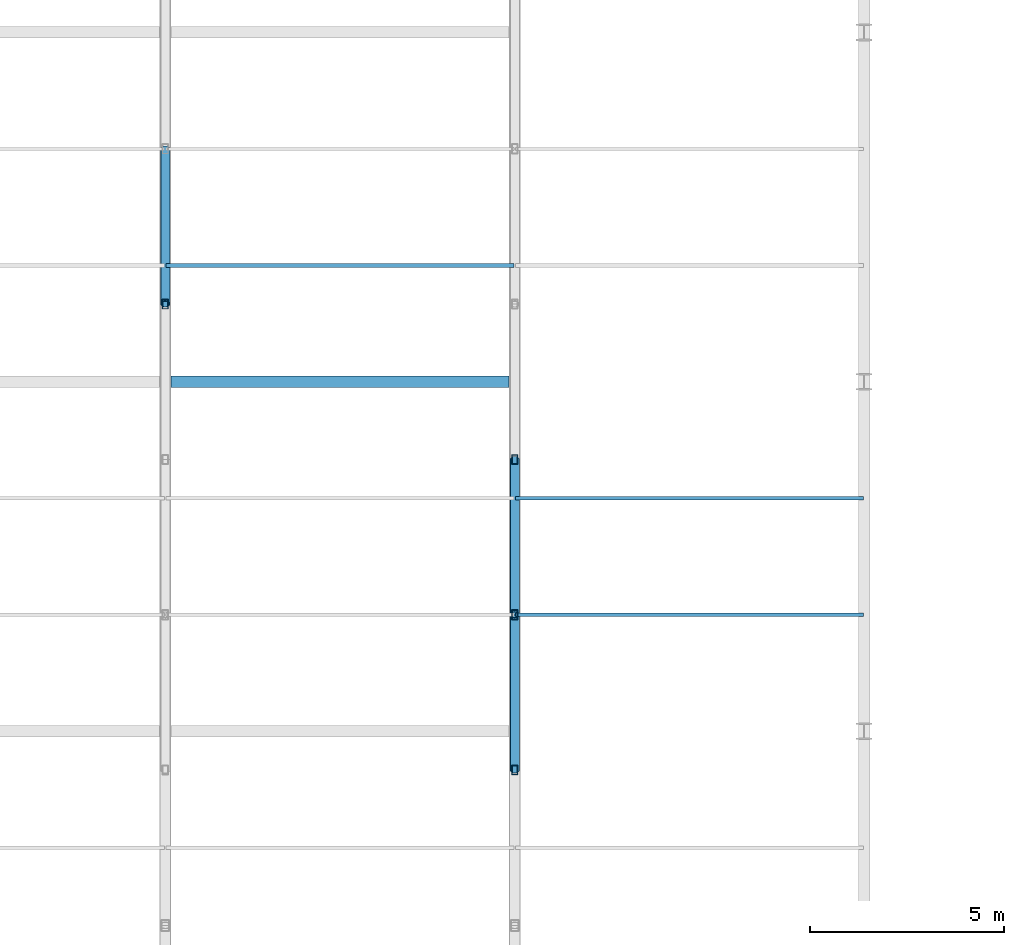
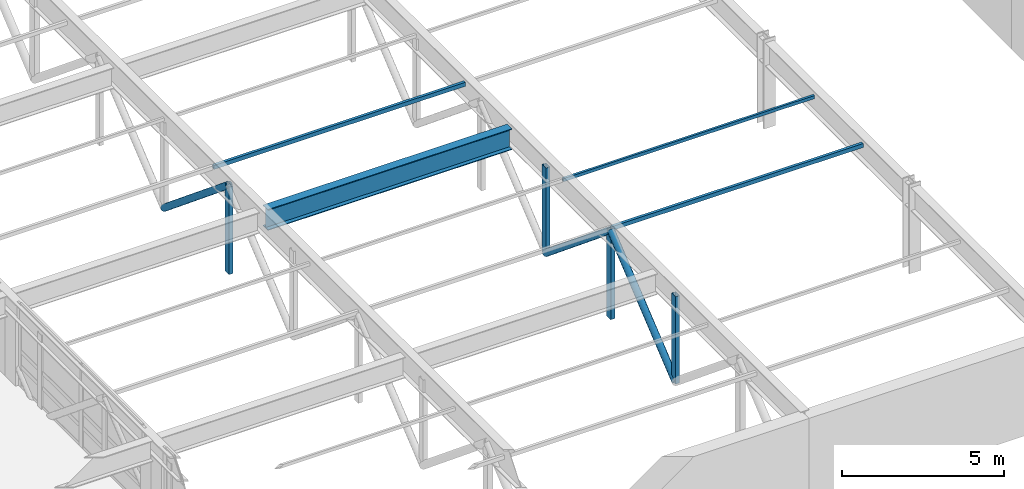
# One storey, part 57 of 91: 10 members, 1 beam.
"""IFC4 building model written with IfcOpenShell, lengths in metres."""

import ifcopenshell
import ifcopenshell.guid

model = None  # the IFC model being written
_history = None  # IfcOwnerHistory: only IFC2X3 demands one
_inside = {}  # id of a spatial element -> (the spatial element, [elements in it])
_under = {}  # id of a project, library or spatial element -> (it, [spatial elements below it])
_declared = {}  # id of a project -> (the project, [libraries it declares])
_typed = {}  # id of a type object -> (the type object, [elements of that type])
_made_of = {}  # id of a material, layer set ... -> (it, [elements and type objects made of it])


def new_model(schema):
    """Start an empty IFC model of exactly this schema.

    Asked for "IFC4X3", IfcOpenShell would pick the latest addendum, in which some entities
    have other attributes; the version numbers below select the first issue.
    IFC2X3 requires an IfcOwnerHistory on every rooted entity: one is made here for all.
    """
    global model, _history
    if schema == "IFC4X3":
        model = ifcopenshell.file(schema_version=(4, 3, 0, 0))
    else:
        model = ifcopenshell.file(schema=schema)
    _inside.clear()
    _under.clear()
    _declared.clear()
    _typed.clear()
    _made_of.clear()
    _history = None
    if model.schema == "IFC2X3":
        org = make("IfcOrganization", Name="unknown")
        user = make(
            "IfcPersonAndOrganization",
            ThePerson=make("IfcPerson", FamilyName="unknown"),
            TheOrganization=org,
        )
        app = make(
            "IfcApplication",
            ApplicationDeveloper=org,
            Version="unknown",
            ApplicationFullName="unknown",
            ApplicationIdentifier="unknown",
        )
        _history = make(
            "IfcOwnerHistory",
            OwningUser=user,
            OwningApplication=app,
            ChangeAction="ADDED",
            CreationDate=0,
        )
    return model


def make(cls, **values):
    """One entity of the class cls with the attributes given. An attribute that is None is left unset."""
    return model.create_entity(
        cls, **{name: value for name, value in values.items() if value is not None}
    )


def rooted(cls, **values):
    """An entity with a GlobalId (a new one), such as an element, a storey or a relation."""
    return make(cls, GlobalId=ifcopenshell.guid.new(), OwnerHistory=_history, **values)


def si_unit(unit_type, name, prefix=None):
    """IfcSIUnit, for example si_unit("LENGTHUNIT", "METRE", prefix="MILLI")."""
    return make("IfcSIUnit", UnitType=unit_type, Prefix=prefix, Name=name)


def assignment(units):
    """IfcUnitAssignment: the units of a project."""
    return None if units is None else make("IfcUnitAssignment", Units=units)


def point(xyz):
    """IfcCartesianPoint."""
    return None if xyz is None else make("IfcCartesianPoint", Coordinates=xyz)


def direction(xyz):
    """IfcDirection."""
    return None if xyz is None else make("IfcDirection", DirectionRatios=xyz)


def frame(location, z_axis=None, x_axis=None):
    """IfcAxis2Placement3D, a coordinate frame: its origin and axes. An axis left out is left unset."""
    return make(
        "IfcAxis2Placement3D",
        Location=point(location),
        Axis=direction(z_axis),
        RefDirection=direction(x_axis),
    )


def frame_2d(location, x_axis=None):
    """IfcAxis2Placement2D, a coordinate frame in the plane: its origin and x axis."""
    return make(
        "IfcAxis2Placement2D", Location=point(location), RefDirection=direction(x_axis)
    )


def origin():
    """The frame at (0, 0, 0) with its axes left unset."""
    return frame((0.0, 0.0, 0.0))


def origin_2d():
    """The frame at (0, 0) in the plane with its x axis left unset."""
    return frame_2d((0.0, 0.0))


def place(relative_to, where):
    """IfcLocalPlacement: puts the frame where relative to a parent placement (None: the world)."""
    return make(
        "IfcLocalPlacement", PlacementRelTo=relative_to, RelativePlacement=where
    )


def context(
    kind, dimensions, precision=None, world=None, true_north=None, identifier=None
):
    """IfcGeometricRepresentationContext, for example the 3D "Model" context."""
    return make(
        "IfcGeometricRepresentationContext",
        ContextIdentifier=identifier,
        ContextType=kind,
        CoordinateSpaceDimension=dimensions,
        Precision=precision,
        WorldCoordinateSystem=world,
        TrueNorth=true_north,
    )


def subcontext(parent, identifier, kind, view, scale=None):
    """IfcGeometricRepresentationSubContext, for example "Body" below "Model"."""
    return make(
        "IfcGeometricRepresentationSubContext",
        ContextIdentifier=identifier,
        ContextType=kind,
        ParentContext=parent,
        TargetScale=scale,
        TargetView=view,
    )


def project(units=None, contexts=None):
    """IfcProject with its units and contexts."""
    return rooted(
        "IfcProject",
        Name="project",
        RepresentationContexts=contexts,
        UnitsInContext=assignment(units),
    )


def spatial(cls, under=None, at=None, **own):
    """A site, building, storey or space (cls), placed at a placement, below another one or the project."""
    s = rooted(cls, ObjectPlacement=at, **own)
    if under is not None:
        _under.setdefault(under.id(), (under, []))[1].append(s)
    return s


def profile(cls, at=None, kind="AREA", **sizes):
    """A parametric profile (cls). Its sizes go by their IFC names, for example OverallWidth=200.0."""
    return make(cls, ProfileType=kind, Position=at, **sizes)


def hollow_rectangle(**sizes):
    """IfcRectangleHollowProfileDef."""
    return profile("IfcRectangleHollowProfileDef", **sizes)


def hollow_circle(**sizes):
    """IfcCircleHollowProfileDef."""
    return profile("IfcCircleHollowProfileDef", **sizes)


def i_section(**sizes):
    """IfcIShapeProfileDef."""
    return profile("IfcIShapeProfileDef", **sizes)


def extrude(swept, where, along, depth):
    """IfcExtrudedAreaSolid: the profile swept, set in the frame where, extruded along a direction by depth."""
    return make(
        "IfcExtrudedAreaSolid",
        SweptArea=swept,
        Position=where,
        ExtrudedDirection=direction(along),
        Depth=depth,
    )


def shape(context_of_items, identifier, shape_type, items):
    """IfcShapeRepresentation: the items that make up one representation, for example the "Body"."""
    return make(
        "IfcShapeRepresentation",
        ContextOfItems=context_of_items,
        RepresentationIdentifier=identifier,
        RepresentationType=shape_type,
        Items=items,
    )


def material(Name=None, Category=None):
    """IfcMaterial."""
    return make("IfcMaterial", Name=Name, Category=Category)


def material_profile(
    of_material, cross_section, Name=None, Category=None, Priority=None
):
    """IfcMaterialProfile: a cross section and its material."""
    return make(
        "IfcMaterialProfile",
        Name=Name,
        Material=of_material,
        Profile=cross_section,
        Priority=Priority,
        Category=Category,
    )


def profile_set(profiles, Name=None, composite=None):
    """IfcMaterialProfileSet."""
    return make(
        "IfcMaterialProfileSet",
        Name=Name,
        MaterialProfiles=profiles,
        CompositeProfile=composite,
    )


def made_of(thing, what):
    """Note that an element or type object is made of a material, layer set ...; save() writes the relation."""
    if what is not None:
        _made_of.setdefault(what.id(), (what, []))[1].append(thing)
    return thing


def type_object(cls, material=None, **own):
    """A type object (cls), such as IfcWallType, which elements share."""
    return made_of(rooted(cls, **own), material)


def element(
    cls,
    number,
    at=None,
    inside=None,
    cuts=None,
    type_object=None,
    material=None,
    context=None,
    identifier="Body",
    shape_type=None,
    held_by="IfcProductDefinitionShape",
    body=None,
    shapes=None,
    **own,
):
    """One element of the class cls, such as IfcWall. Its Tag is "e" and its number.

    at: its placement. inside: the storey or other place that contains it. cuts: it is an
    opening in that element (IfcRelVoidsElement). A single representation is given by context,
    identifier, shape_type and body (its items); several are given by shapes. held_by: the class
    of the entity that holds the representations. save() writes the other relations.
    """
    e = rooted(cls, Tag="e%d" % number, ObjectPlacement=at, **own)
    if body is not None:
        shapes = [shape(context, identifier, shape_type, body)]
    if shapes is not None:
        e.Representation = make(held_by, Representations=shapes)
    if inside is not None:
        _inside.setdefault(inside.id(), (inside, []))[1].append(e)
    if cuts is not None:
        rooted(
            "IfcRelVoidsElement", RelatingBuildingElement=cuts, RelatedOpeningElement=e
        )
    if type_object is not None:
        _typed.setdefault(type_object.id(), (type_object, []))[1].append(e)
    return made_of(e, material)


def aggregate(whole, parts):
    """IfcRelAggregates: a whole, such as a stair, and the parts it consists of."""
    return rooted("IfcRelAggregates", RelatingObject=whole, RelatedObjects=parts)


def save(model, path):
    """Write the relations noted so far, then the file.

    IfcRelAggregates (storeys below a building ...), IfcRelContainedInSpatialStructure (elements
    in a storey), IfcRelDefinesByType, IfcRelAssociatesMaterial and IfcRelDeclares: one each for
    every whole, place, type object, material and project.
    """
    for whole, parts in _under.values():
        aggregate(whole, parts)
    for where, things in _inside.values():
        rooted(
            "IfcRelContainedInSpatialStructure",
            RelatedElements=things,
            RelatingStructure=where,
        )
    for kind, things in _typed.values():
        rooted("IfcRelDefinesByType", RelatedObjects=things, RelatingType=kind)
    for what, things in _made_of.values():
        rooted("IfcRelAssociatesMaterial", RelatedObjects=things, RelatingMaterial=what)
    for by, libraries in _declared.values():
        rooted("IfcRelDeclares", RelatingContext=by, RelatedDefinitions=libraries)
    model.write(path)


model = new_model("IFC4")

# Units and contexts
model_context = context("Model", 3, precision=1e-05, world=origin(), true_north=direction((0.0, 1.0)))
body_context = subcontext(model_context, "Body", "Model", "MODEL_VIEW")
ifc_project = project(units=[si_unit("LENGTHUNIT", "METRE"), si_unit("AREAUNIT", "SQUARE_METRE"), si_unit("VOLUMEUNIT", "CUBIC_METRE"), si_unit("PLANEANGLEUNIT", "RADIAN"), si_unit("MASSUNIT", "GRAM", prefix="KILO")], contexts=[model_context])

# Site, building, storey
site_placement = place(None, origin())
site = spatial("IfcSite", under=ifc_project, at=site_placement, CompositionType="ELEMENT")
building_placement = place(site_placement, origin())
building = spatial("IfcBuilding", under=site, at=building_placement, Name="Palais des Congres Ocreval", CompositionType="ELEMENT")
storey_placement = place(building_placement, frame((0.0, 0.0, 8.159912109375)))
storey = spatial("IfcBuildingStorey", under=building, at=storey_placement, Name="L02", CompositionType="ELEMENT", Elevation=8.159912109375)

# Members
ifc_material = material(Name="Steel S355", Category="steel")
ifc_material_profile_1 = material_profile(ifc_material, hollow_circle(Radius=0.122314453125, WallThickness=0.012451171875, at=origin_2d()), Name="CHS 244.5x12.5")
ifc_profile_set_1 = profile_set([ifc_material_profile_1], Name="Steel S355")
member_type_1 = type_object("IfcMemberType", Name="Diagonal Brace CHS 244.5x12.5 Steel S355", PredefinedType="BRACE", material=ifc_profile_set_1)
for number, where, z_axis, x_axis, name in (
    (1, (135.0, 92.0, 2.7900390625), (0.0, 0.772316531173, -0.635237889044), (-1.0, 0.0, 0.0), "Transfer Truss Web Diagonal V2-135-6"),
    (2, (144.0, 80.0, -0.5), (0.0, 0.772316531173, 0.635237889044), (-1.0, 0.0, 0.0), "Transfer Truss Web Diagonal V2-144-3"),
    (3, (144.0, 84.0, 2.7900390625), (0.0, 0.772316531173, -0.635237889044), (-1.0, 0.0, 0.0), "Transfer Truss Web Diagonal V2-144-4"),
):
    element("IfcMember", number, at=place(storey_placement, frame(where, z_axis=z_axis, x_axis=x_axis)), inside=storey, type_object=member_type_1, Name=name, PredefinedType="BRACE", context=body_context, shape_type="SweptSolid", body=[
        extrude(hollow_circle(Radius=0.122314453125, WallThickness=0.012451171875, at=origin_2d()), origin(), (0.0, 0.0, 1.0), 5.17919921875),
    ])

# Beam
ifc_material_profile_2 = material_profile(ifc_material, i_section(OverallWidth=0.300048828125, OverallDepth=0.7900390625, WebThickness=0.014892578125, FlangeThickness=0.028076171875, at=origin_2d()), Name="HEA 800")
ifc_profile_set_2 = profile_set([ifc_material_profile_2], Name="Steel S355")
beam_type = type_object("IfcBeamType", Name="Long-Span Girder HEA 800 Steel S355", PredefinedType="BEAM", material=ifc_profile_set_2)
beam_placement = place(storey_placement, frame((135.14794921875, 90.0, 2.710205078125), z_axis=(1.0, 0.0, 0.0), x_axis=(0.0, 1.0, 0.0)))
element("IfcBeam", 4, at=beam_placement, inside=storey, type_object=beam_type, Name="Ballroom Truss Tie Girder B15", PredefinedType="BEAM", context=body_context, shape_type="SweptSolid", body=[
    extrude(i_section(OverallWidth=0.300048828125, OverallDepth=0.7900390625, WebThickness=0.014892578125, FlangeThickness=0.028076171875, at=origin_2d()), origin(), (0.0, 0.0, 1.0), 8.7041015625),
])

# Members
ifc_material_profile_3 = material_profile(ifc_material, hollow_rectangle(XDim=0.080078125, YDim=0.1201171875, WallThickness=0.00634765625, at=origin_2d()), Name="RHS 120x80x6.3")
ifc_profile_set_3 = profile_set([ifc_material_profile_3], Name="Steel S355")
member_type_2 = type_object("IfcMemberType", Name="Roof Purlin RHS 120x80x6.3 Steel S355", PredefinedType="PURLIN", material=ifc_profile_set_3)
member_placement = place(storey_placement, frame((144.02001953125, 87.0, 2.860107421875), z_axis=(1.0, 0.0, 0.0), x_axis=(0.0, 1.0, 0.0)))
element("IfcMember", 5, at=member_placement, inside=storey, type_object=member_type_2, Name="Sawtooth Roof Purlin PU05", PredefinedType="PURLIN", context=body_context, shape_type="SweptSolid", body=[
    extrude(hollow_rectangle(XDim=0.080078125, YDim=0.1201171875, WallThickness=0.00634765625, at=origin_2d()), origin(), (0.0, 0.0, 1.0), 8.9599609375),
])
ifc_material_profile_4 = material_profile(ifc_material, hollow_rectangle(XDim=0.10009765625, YDim=0.14990234375, WallThickness=0.008056640625, at=origin_2d()), Name="RHS 150x100x8")
ifc_profile_set_4 = profile_set([ifc_material_profile_4], Name="Steel S355")
member_type_3 = type_object("IfcMemberType", Name="Roof Purlin RHS 150x100x8 Steel S355", PredefinedType="PURLIN", material=ifc_profile_set_4)
for number, where, z_axis, x_axis, name in (
    (6, (135.02001953125, 93.0, 2.860107421875), (1.0, 0.0, 0.0), (0.0, 1.0, 0.0), "Sawtooth Roof Purlin PU04"),
    (7, (144.02001953125, 84.0, 2.860107421875), (1.0, 0.0, 0.0), (0.0, 1.0, 0.0), "Sawtooth Roof Purlin PU04"),
):
    element("IfcMember", number, at=place(storey_placement, frame(where, z_axis=z_axis, x_axis=x_axis)), inside=storey, type_object=member_type_3, Name=name, PredefinedType="PURLIN", context=body_context, shape_type="SweptSolid", body=[
        extrude(hollow_rectangle(XDim=0.10009765625, YDim=0.14990234375, WallThickness=0.008056640625, at=origin_2d()), origin(), (0.0, 0.0, 1.0), 8.9599609375),
    ])
ifc_material_profile_5 = material_profile(ifc_material, hollow_rectangle(XDim=0.14990234375, YDim=0.25, WallThickness=0.012451171875, at=origin_2d()), Name="RHS 250x150x12.5")
ifc_profile_set_5 = profile_set([ifc_material_profile_5], Name="Steel S355")
member_type_4 = type_object("IfcMemberType", Name="Truss Strut RHS 250x150x12.5 Steel S355", PredefinedType="STRUT", material=ifc_profile_set_5)
for number, where, z_axis, x_axis, name in (
    (8, (135.0, 92.0, -0.5), (0.0, 0.0, 1.0), (1.0, 0.0, 0.0), "Transfer Truss Vertical Post V2-135-5"),
    (9, (144.0, 80.0, -0.5), (0.0, 0.0, 1.0), (1.0, 0.0, 0.0), "Transfer Truss Vertical Post V2-144-2"),
    (10, (144.0, 84.0, -0.5), (0.0, 0.0, 1.0), (1.0, 0.0, 0.0), "Transfer Truss Vertical Post V2-144-3"),
    (11, (144.0, 88.0, -0.5), (0.0, 0.0, 1.0), (1.0, 0.0, 0.0), "Transfer Truss Vertical Post V2-144-4"),
):
    element("IfcMember", number, at=place(storey_placement, frame(where, z_axis=z_axis, x_axis=x_axis)), inside=storey, type_object=member_type_4, Name=name, PredefinedType="STRUT", context=body_context, shape_type="SweptSolid", body=[
        extrude(hollow_rectangle(XDim=0.14990234375, YDim=0.25, WallThickness=0.012451171875, at=origin_2d()), origin(), (0.0, 0.0, 1.0), 3.2900390625),
    ])

save(model, "model.ifc")
